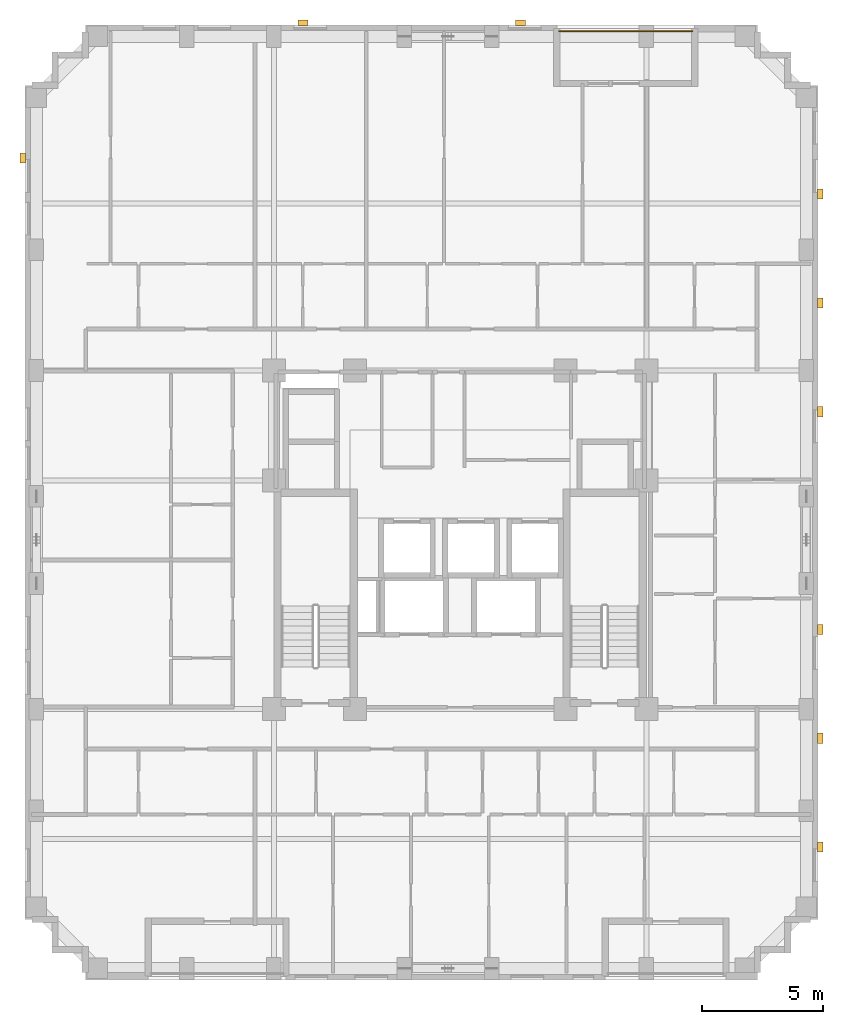
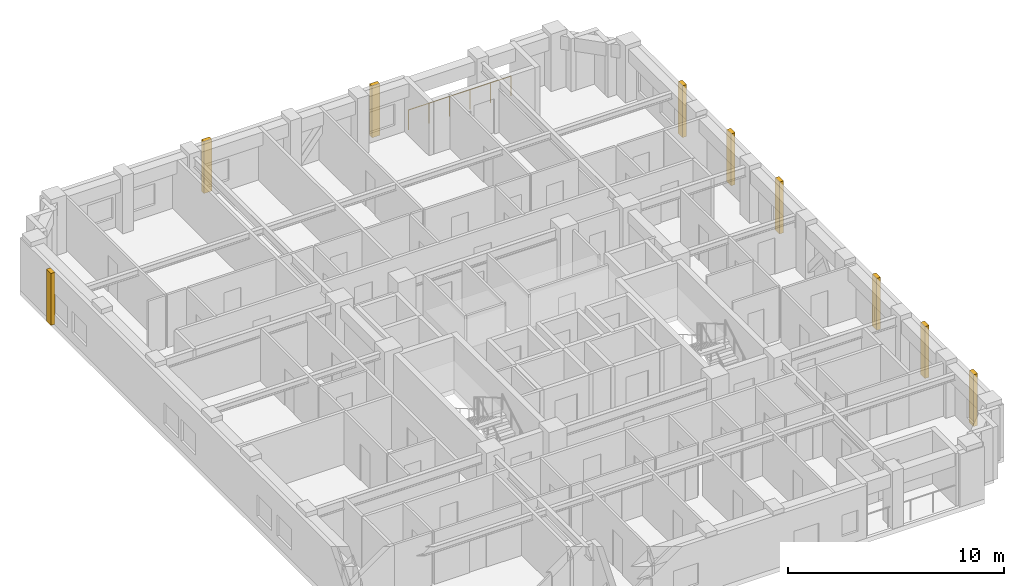
# One storey, part 11 of 11: 9 coverings, 1 railing.
"""IFC4 building model written with IfcOpenShell, lengths in metres."""

from ifc_helpers import new_model, si_unit, derived_unit, direction, frame, origin, origin_2d, place, context, subcontext, project, spatial, rectangle, circle, extrude, material, layer, layer_set, type_object, element, save


model = new_model("IFC4")

# Units and contexts
model_context = context("Model", 3, precision=1e-05, world=origin(), true_north=direction((0.0, 1.0)))
body_context = subcontext(model_context, "Body", "Model", "MODEL_VIEW")
ifc_project = project(units=[si_unit("LENGTHUNIT", "METRE"), si_unit("AREAUNIT", "SQUARE_METRE"), si_unit("VOLUMEUNIT", "CUBIC_METRE"), si_unit("PLANEANGLEUNIT", "RADIAN"), si_unit("MASSUNIT", "GRAM", prefix="KILO"), derived_unit("THERMALTRANSMITTANCEUNIT", [(si_unit("MASSUNIT", "GRAM", prefix="KILO"), 1), (si_unit("TIMEUNIT", "SECOND"), -3), (si_unit("THERMODYNAMICTEMPERATUREUNIT", "KELVIN"), -1)])], contexts=[model_context])

# Site, building, storey
site_placement = place(None, origin())
site = spatial("IfcSite", under=ifc_project, at=site_placement, CompositionType="ELEMENT")
building_placement = place(site_placement, origin())
building = spatial("IfcBuilding", under=site, at=building_placement, Name="Korrvale Station Residences", CompositionType="ELEMENT")
storey_placement = place(building_placement, frame((0.0, 0.0, 147.14990234375)))
storey = spatial("IfcBuildingStorey", under=building, at=storey_placement, Name="L42", CompositionType="ELEMENT", Elevation=147.14990234375)

# Coverings
ifc_material_1 = material(Name="Architectural precast concrete C45/55", Category="concrete")
ifc_layer = layer(ifc_material_1, 0.219970703125, Name="Architectural precast concrete C45/55")
ifc_layer_set = layer_set([ifc_layer], Name="Architectural precast concrete C45/55")
covering_type = type_object("IfcCoveringType", Name="COV-PIER-400", PredefinedType="CLADDING", material=ifc_layer_set)
for number, where, z_axis, x_axis, name in (
    (1, (19.0, 43.389892578125, 0.025146484375), (0.0, 0.0, 1.0), (1.0, 0.0, 0.0), "L42 Architectural Precast Facade Pier 01"),
    (2, (28.0, 43.389892578125, 0.025146484375), (0.0, 0.0, 1.0), (1.0, 0.0, 0.0), "L42 Architectural Precast Facade Pier 02"),
    (3, (7.409912109375, 37.800048828125, 0.025146484375), (0.0, 0.0, 1.0), (0.0, 1.0, 0.0), "L42 Architectural Precast Facade Pier 03"),
    (4, (40.389892578125, 36.300048828125, 0.025146484375), (0.0, 0.0, 1.0), (0.0, 1.0, 0.0), "L42 Architectural Precast Facade Pier 04"),
    (5, (40.389892578125, 31.800048828125, 0.025146484375), (0.0, 0.0, 1.0), (0.0, 1.0, 0.0), "L42 Architectural Precast Facade Pier 05"),
    (6, (40.389892578125, 27.300048828125, 0.025146484375), (0.0, 0.0, 1.0), (0.0, 1.0, 0.0), "L42 Architectural Precast Facade Pier 06"),
    (7, (40.389892578125, 18.300048828125, 0.025146484375), (0.0, 0.0, 1.0), (0.0, 1.0, 0.0), "L42 Architectural Precast Facade Pier 07"),
    (8, (40.389892578125, 13.800048828125, 0.025146484375), (0.0, 0.0, 1.0), (0.0, 1.0, 0.0), "L42 Architectural Precast Facade Pier 08"),
    (9, (40.389892578125, 9.300048828125, 0.025146484375), (0.0, 0.0, 1.0), (0.0, 1.0, 0.0), "L42 Architectural Precast Facade Pier 09"),
):
    element("IfcCovering", number, at=place(storey_placement, frame(where, z_axis=z_axis, x_axis=x_axis)), inside=storey, type_object=covering_type, Name=name, PredefinedType="CLADDING", context=body_context, shape_type="SweptSolid", body=[
        extrude(rectangle(XDim=0.419921875, YDim=0.219970703125, at=origin_2d()), origin(), (0.0, 0.0, 1.0), 2.93994140625),
    ])

# Railing
ifc_material_2 = material(Name="Powder-coated aluminium picket loggia guard", Category="aluminium")
railing_type = type_object("IfcRailingType", Name="RLG-BAL-1150", PredefinedType="GUARDRAIL", material=ifc_material_2)
railing_placement = place(storey_placement, frame((29.60009765625, 43.030029296875, 0.0)))
element("IfcRailing", 10, at=railing_placement, inside=storey, type_object=railing_type, Name="L42 Recessed Loggia Guardrail BAL-L42-N1", PredefinedType="GUARDRAIL", context=body_context, shape_type="SweptSolid", body=[
    extrude(circle(Radius=0.02392578125, at=origin_2d()), frame((0.0, 0.0, 1.1259765625), z_axis=(1.0, 0.0, 0.0), x_axis=(0.0, 1.0, 0.0)), (0.0, 0.0, 1.0), 5.5),
    extrude(circle(Radius=0.02099609375, at=origin_2d()), origin(), (0.0, 0.0, 1.0), 1.101806640625),
    extrude(circle(Radius=0.02099609375, at=origin_2d()), frame((1.10009765625, 0.0, 0.0)), (0.0, 0.0, 1.0), 1.101806640625),
    extrude(circle(Radius=0.02099609375, at=origin_2d()), frame((2.199951171875, 0.0, 0.0)), (0.0, 0.0, 1.0), 1.101806640625),
    extrude(circle(Radius=0.02099609375, at=origin_2d()), frame((3.300048828125, 0.0, 0.0)), (0.0, 0.0, 1.0), 1.101806640625),
    extrude(circle(Radius=0.02099609375, at=origin_2d()), frame((4.39990234375, 0.0, 0.0)), (0.0, 0.0, 1.0), 1.101806640625),
    extrude(circle(Radius=0.02099609375, at=origin_2d()), frame((5.5, 0.0, 0.0)), (0.0, 0.0, 1.0), 1.101806640625),
])

save(model, "model.ifc")
